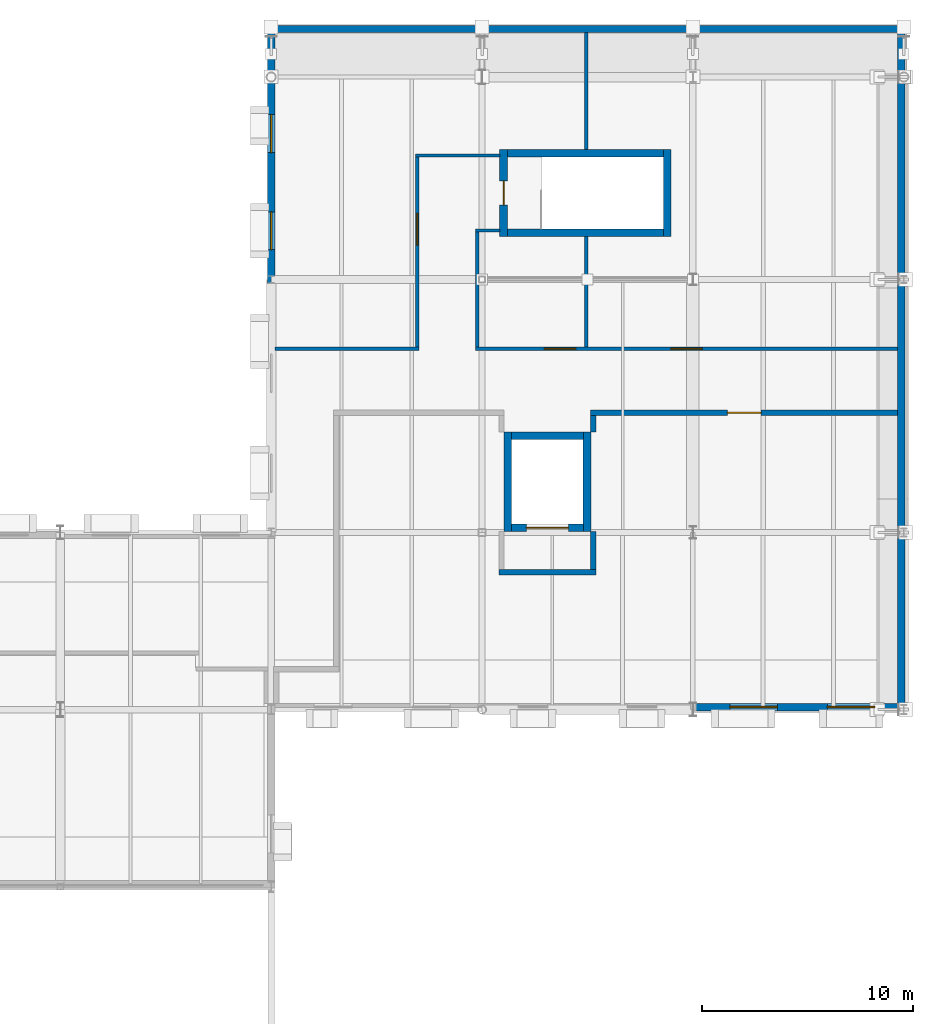
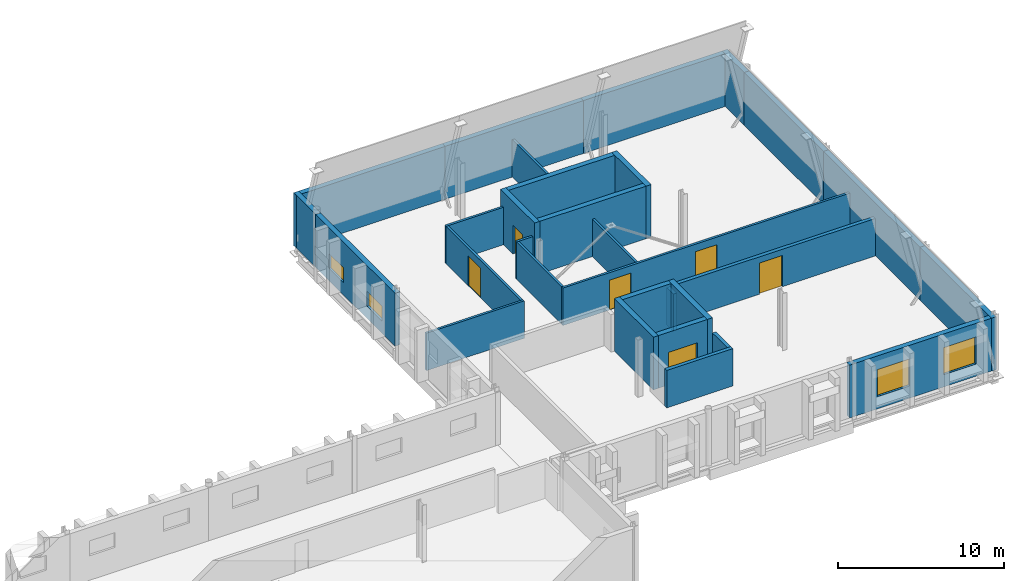
# One storey, part 69 of 90: 30 walls, 6 doors, 4 windows, 10 openings.
"""IFC4 building model written with IfcOpenShell, lengths in metres."""

from ifc_helpers import new_model, si_unit, direction, frame, frame_2d, origin, place, context, subcontext, project, spatial, rectangle, extrude, material, layer, layer_set, type_object, element, fill, save


model = new_model("IFC4")

# Units and contexts
model_context = context("Model", 3, precision=1e-05, world=origin(), true_north=direction((0.0, 1.0)))
body_context = subcontext(model_context, "Body", "Model", "MODEL_VIEW")
ifc_project = project(units=[si_unit("LENGTHUNIT", "METRE"), si_unit("AREAUNIT", "SQUARE_METRE"), si_unit("VOLUMEUNIT", "CUBIC_METRE"), si_unit("PLANEANGLEUNIT", "RADIAN"), si_unit("MASSUNIT", "GRAM", prefix="KILO")], contexts=[model_context])

# Site, building, storey
site_placement = place(None, origin())
site = spatial("IfcSite", under=ifc_project, at=site_placement, CompositionType="ELEMENT")
building_placement = place(site_placement, origin())
building = spatial("IfcBuilding", under=site, at=building_placement, Name="Zereglee Splitstone Museum", CompositionType="ELEMENT")
storey_placement = place(building_placement, frame((0.0, 0.0, 4.800048828125)))
storey = spatial("IfcBuildingStorey", under=building, at=storey_placement, Name="L01", CompositionType="ELEMENT", Elevation=4.800048828125)

# Wall, opening, door
ifc_material_1 = material(Name="Concrete C45/55", Category="concrete")
ifc_layer_1 = layer(ifc_material_1, 0.360107421875)
ifc_layer_set_1 = layer_set([ifc_layer_1], Name="Concrete C45/55")
wall_type_1 = type_object("IfcWallType", Name="CSW-02", PredefinedType="SHEAR", material=ifc_layer_set_1)
wall_1_placement = place(storey_placement, frame((307.02001953125, 52.43994140625, 0.0), z_axis=(0.0, 0.0, 1.0), x_axis=(0.0, 1.0, 0.0)))
wall_1 = element("IfcWall", 1, at=wall_1_placement, inside=storey, type_object=wall_type_1, Name="Stair Core Shear Wall ST-08 L01 West", PredefinedType="SHEAR", context=body_context, shape_type="SweptSolid", body=[
    extrude(rectangle(XDim=4.1201171875, YDim=0.360107421875, at=frame_2d((2.06005859375, 0.0))), origin(), (0.0, 0.0, 1.0), 3.8798828125),
])
opening_1_placement = place(wall_1_placement, frame((1.485107421875, 0.0, 0.0)))
opening_1 = element("IfcOpeningElement", 2, at=opening_1_placement, cuts=wall_1, Name="Opening ID-03", PredefinedType="OPENING", context=body_context, shape_type="SweptSolid", body=[
    extrude(rectangle(XDim=1.14990234375, YDim=2.14990234375, at=frame_2d((0.574951171875, 1.074951171875))), frame((0.0, 0.19482421875, 0.0), z_axis=(0.0, -1.0, 0.0), x_axis=(1.0, 0.0, 0.0)), (0.0, 0.0, 1.0), 0.389892578125),
])
ifc_material_2 = material(Name="Fire-rated steel and Siberian larch leaf", Category="steel")
door_type_1 = type_object("IfcDoorType", Name="ID-03", OperationType="NOTDEFINED", PredefinedType="DOOR", material=ifc_material_2)
door_1_placement = place(opening_1_placement, origin())
door_1 = element("IfcDoor", 3, at=door_1_placement, inside=storey, type_object=door_type_1, Name="Protected Stair Fire Door ST-08 L01", OperationType="SINGLE_SWING_LEFT", OverallHeight=2.14990234375, OverallWidth=1.14990234375, PredefinedType="DOOR", context=body_context, shape_type="SweptSolid", body=[
    extrude(rectangle(XDim=1.14990234375, YDim=2.14990234375, at=frame_2d((0.574951171875, 1.074951171875))), frame((0.0, 0.02490234375, 0.0), z_axis=(0.0, -1.0, 0.0), x_axis=(1.0, 0.0, 0.0)), (0.0, 0.0, 1.0), 0.050048828125),
])
fill(opening_1, door_1)

# Walls
wall_2_placement = place(storey_placement, frame((314.780029296875, 52.43994140625, 0.0), z_axis=(0.0, 0.0, 1.0), x_axis=(0.0, 1.0, 0.0)))
element("IfcWall", 4, at=wall_2_placement, inside=storey, type_object=wall_type_1, Name="Stair Core Shear Wall ST-08 L01 East", PredefinedType="SHEAR", context=body_context, shape_type="SweptSolid", body=[
    extrude(rectangle(XDim=4.1201171875, YDim=0.360107421875, at=frame_2d((2.06005859375, 0.0))), origin(), (0.0, 0.0, 1.0), 3.8798828125),
])
for number, where, z_axis, x_axis, name in (
    (5, (307.199951171875, 56.3798828125, 0.0), (0.0, 0.0, 1.0), (1.0, 0.0, 0.0), "Stair Core Shear Wall ST-08 L01 North"),
    (6, (307.199951171875, 52.6201171875, 0.0), (0.0, 0.0, 1.0), (1.0, 0.0, 0.0), "Stair Core Shear Wall ST-08 L01 South"),
):
    element("IfcWall", number, at=place(storey_placement, frame(where, z_axis=z_axis, x_axis=x_axis)), inside=storey, type_object=wall_type_1, Name=name, PredefinedType="SHEAR", context=body_context, shape_type="SweptSolid", body=[
        extrude(rectangle(XDim=7.400146484375, YDim=0.360107421875, at=frame_2d((3.7001953125, 0.0))), origin(), (0.0, 0.0, 1.0), 3.8798828125),
    ])
wall_3_placement = place(storey_placement, frame((307.39990234375, 42.97998046875, 0.0), z_axis=(0.0, 0.0, 1.0), x_axis=(1.0, 0.0, 0.0)))
element("IfcWall", 7, at=wall_3_placement, inside=storey, type_object=wall_type_1, Name="Lift Shaft Wall GL-01 L01 North", PredefinedType="SHEAR", context=body_context, shape_type="SweptSolid", body=[
    extrude(rectangle(XDim=3.400146484375, YDim=0.360107421875, at=frame_2d((1.7001953125, 0.0))), origin(), (0.0, 0.0, 1.0), 3.8798828125),
])

# Wall, opening, door
wall_4_placement = place(storey_placement, frame((307.39990234375, 38.6201171875, 0.0), z_axis=(0.0, 0.0, 1.0), x_axis=(1.0, 0.0, 0.0)))
wall_4 = element("IfcWall", 8, at=wall_4_placement, inside=storey, type_object=wall_type_1, Name="Lift Shaft Wall GL-01 L01 South", PredefinedType="SHEAR", context=body_context, shape_type="SweptSolid", body=[
    extrude(rectangle(XDim=3.400146484375, YDim=0.360107421875, at=frame_2d((1.7001953125, 0.0))), origin(), (0.0, 0.0, 1.0), 3.8798828125),
])
opening_2_placement = place(wall_4_placement, frame((0.699951171875, 0.0, 0.0)))
opening_2 = element("IfcOpeningElement", 9, at=opening_2_placement, cuts=wall_4, Name="Opening LD-03", PredefinedType="OPENING", context=body_context, shape_type="SweptSolid", body=[
    extrude(rectangle(XDim=2.0, YDim=2.39990234375, at=frame_2d((1.0, 1.199951171875))), frame((0.0, 0.19482421875, 0.0), z_axis=(0.0, -1.0, 0.0), x_axis=(1.0, 0.0, 0.0)), (0.0, 0.0, 1.0), 0.389892578125),
])
door_type_2 = type_object("IfcDoorType", Name="LD-03", OperationType="DOUBLE_DOOR_SLIDING", PredefinedType="DOOR", material=ifc_material_2)
door_2_placement = place(opening_2_placement, origin())
door_2 = element("IfcDoor", 10, at=door_2_placement, inside=storey, type_object=door_type_2, Name="Lift Landing Sliding Door GL-01 L01", OperationType="DOUBLE_DOOR_SLIDING", OverallHeight=2.39990234375, OverallWidth=2.0, PredefinedType="DOOR", context=body_context, shape_type="SweptSolid", body=[
    extrude(rectangle(XDim=2.0, YDim=2.39990234375, at=frame_2d((1.0, 1.199951171875))), frame((0.0, 0.02490234375, 0.0), z_axis=(0.0, -1.0, 0.0), x_axis=(1.0, 0.0, 0.0)), (0.0, 0.0, 1.0), 0.050048828125),
])
fill(opening_2, door_2)

# Walls
for number, where, z_axis, x_axis, name in (
    (11, (307.219970703125, 38.43994140625, 0.0), (0.0, 0.0, 1.0), (0.0, 1.0, 0.0), "Lift Shaft Wall GL-01 L01 West"),
    (12, (310.97998046875, 38.43994140625, 0.0), (0.0, 0.0, 1.0), (0.0, 1.0, 0.0), "Lift Shaft Wall GL-01 L01 East"),
):
    element("IfcWall", number, at=place(storey_placement, frame(where, z_axis=z_axis, x_axis=x_axis)), inside=storey, type_object=wall_type_1, Name=name, PredefinedType="SHEAR", context=body_context, shape_type="SweptSolid", body=[
        extrude(rectangle(XDim=4.719970703125, YDim=0.360107421875, at=frame_2d((2.35986328125, 0.0))), origin(), (0.0, 0.0, 1.0), 3.8798828125),
    ])

# Wall, openings, windows
ifc_material_3 = material(Name="Precast concrete C40/50", Category="concrete")
ifc_layer_2 = layer(ifc_material_3, 0.35009765625)
ifc_layer_set_2 = layer_set([ifc_layer_2], Name="Precast concrete C40/50")
wall_type_2 = type_object("IfcWallType", Name="EW-01", PredefinedType="STANDARD", material=ifc_layer_set_2)
wall_5_placement = place(storey_placement, frame((315.820068359375, 30.1201171875, 0.0), z_axis=(0.0, 0.0, 1.0), x_axis=(1.0, 0.0, 0.0)))
wall_5 = element("IfcWall", 13, at=wall_5_placement, inside=storey, type_object=wall_type_2, Name="Exterior Backup Wall RC4-EW-L01-0099", PredefinedType="STANDARD", context=body_context, shape_type="SweptSolid", body=[
    extrude(rectangle(XDim=10.239990234375, YDim=0.35009765625, at=frame_2d((5.1201171875, 0.0))), origin(), (0.0, 0.0, 1.0), 3.89990234375),
])
opening_3_placement = place(wall_5_placement, frame((1.93505859375, 0.0, 0.89990234375)))
opening_3 = element("IfcOpeningElement", 14, at=opening_3_placement, cuts=wall_5, Name="Opening EW-W20", PredefinedType="OPENING", context=body_context, shape_type="SweptSolid", body=[
    extrude(rectangle(XDim=2.25, YDim=2.0, at=frame_2d((1.125, 1.0))), frame((0.0, 0.18994140625, 0.0), z_axis=(0.0, -1.0, 0.0), x_axis=(1.0, 0.0, 0.0)), (0.0, 0.0, 1.0), 0.3798828125),
])
opening_4_placement = place(wall_5_placement, frame((6.554931640625, 0.0, 0.89990234375)))
opening_4 = element("IfcOpeningElement", 15, at=opening_4_placement, cuts=wall_5, Name="Opening EW-W20", PredefinedType="OPENING", context=body_context, shape_type="SweptSolid", body=[
    extrude(rectangle(XDim=2.25, YDim=2.0, at=frame_2d((1.125, 1.0))), frame((0.0, 0.18994140625, 0.0), z_axis=(0.0, -1.0, 0.0), x_axis=(1.0, 0.0, 0.0)), (0.0, 0.0, 1.0), 0.3798828125),
])
ifc_material_4 = material(Name="Thermally broken aluminium frame with triple low-e glazing", Category="aluminium")
window_type_1 = type_object("IfcWindowType", Name="EW-W20", PartitioningType="DOUBLE_PANEL_VERTICAL", PredefinedType="WINDOW", material=ifc_material_4)
window_1_placement = place(opening_3_placement, origin())
window_1 = element("IfcWindow", 16, at=window_1_placement, inside=storey, type_object=window_type_1, Name="Mughal Deep-Reveal Gallery Window L01-0057", OverallHeight=2.0, OverallWidth=2.25, PartitioningType="SINGLE_PANEL", PredefinedType="WINDOW", context=body_context, shape_type="SweptSolid", body=[
    extrude(rectangle(XDim=2.25, YDim=2.0, at=frame_2d((1.125, 1.0))), frame((0.0, 0.030029296875, 0.0), z_axis=(0.0, -1.0, 0.0), x_axis=(1.0, 0.0, 0.0)), (0.0, 0.0, 1.0), 0.06005859375),
])
fill(opening_3, window_1)
window_2_placement = place(opening_4_placement, origin())
window_2 = element("IfcWindow", 17, at=window_2_placement, inside=storey, type_object=window_type_1, Name="Mughal Deep-Reveal Gallery Window L01-0058", OverallHeight=2.0, OverallWidth=2.25, PartitioningType="SINGLE_PANEL", PredefinedType="WINDOW", context=body_context, shape_type="SweptSolid", body=[
    extrude(rectangle(XDim=2.25, YDim=2.0, at=frame_2d((1.125, 1.0))), frame((0.0, 0.030029296875, 0.0), z_axis=(0.0, -1.0, 0.0), x_axis=(1.0, 0.0, 0.0)), (0.0, 0.0, 1.0), 0.06005859375),
])
fill(opening_4, window_2)

# Walls
wall_6_placement = place(storey_placement, frame((325.8798828125, 29.93994140625, 0.0), z_axis=(0.0, 0.0, 1.0), x_axis=(0.0, 1.0, 0.0)))
element("IfcWall", 18, at=wall_6_placement, inside=storey, type_object=wall_type_2, Name="Exterior Backup Wall RC4-EW-L01-0100", PredefinedType="STANDARD", context=body_context, shape_type="SweptSolid", body=[
    extrude(rectangle(XDim=8.64013671875, YDim=0.35009765625, at=frame_2d((4.320068359375, 0.0))), origin(), (0.0, 0.0, 1.0), 3.89990234375),
])
wall_7_placement = place(storey_placement, frame((325.8798828125, 38.219970703125, 0.0), z_axis=(0.0, 0.0, 1.0), x_axis=(0.0, 1.0, 0.0)))
element("IfcWall", 19, at=wall_7_placement, inside=storey, type_object=wall_type_2, Name="Exterior Backup Wall RC4-EW-L01-0101", PredefinedType="STANDARD", context=body_context, shape_type="SweptSolid", body=[
    extrude(rectangle(XDim=12.360107421875, YDim=0.35009765625, at=frame_2d((6.18017578125, 0.0))), origin(), (0.0, 0.0, 1.0), 3.89990234375),
])
wall_8_placement = place(storey_placement, frame((325.8798828125, 50.219970703125, 0.0), z_axis=(0.0, 0.0, 1.0), x_axis=(0.0, 1.0, 0.0)))
element("IfcWall", 20, at=wall_8_placement, inside=storey, type_object=wall_type_2, Name="Exterior Backup Wall RC4-EW-L01-0102", PredefinedType="STANDARD", context=body_context, shape_type="SweptSolid", body=[
    extrude(rectangle(XDim=9.9599609375, YDim=0.35009765625, at=frame_2d((4.97998046875, 0.0))), origin(), (0.0, 0.0, 1.0), 3.89990234375),
])
wall_9_placement = place(storey_placement, frame((325.8798828125, 59.820068359375, 0.0), z_axis=(0.0, 0.0, 1.0), x_axis=(0.0, 1.0, 0.0)))
element("IfcWall", 21, at=wall_9_placement, inside=storey, type_object=wall_type_2, Name="Exterior Backup Wall RC4-EW-L01-0103", PredefinedType="STANDARD", context=body_context, shape_type="SweptSolid", body=[
    extrude(rectangle(XDim=2.639892578125, YDim=0.35009765625, at=frame_2d((1.31982421875, 0.0))), origin(), (0.0, 0.0, 1.0), 3.89990234375),
])
wall_10_placement = place(storey_placement, frame((326.06005859375, 62.280029296875, 0.0), z_axis=(0.0, 0.0, 1.0), x_axis=(-1.0, 0.0, 0.0)))
element("IfcWall", 22, at=wall_10_placement, inside=storey, type_object=wall_type_2, Name="Exterior Backup Wall RC4-EW-L01-0104", PredefinedType="STANDARD", context=body_context, shape_type="SweptSolid", body=[
    extrude(rectangle(XDim=10.239990234375, YDim=0.35009765625, at=frame_2d((5.1201171875, 0.0))), origin(), (0.0, 0.0, 1.0), 3.89990234375),
])
for number, where, z_axis, x_axis, name in (
    (23, (316.179931640625, 62.280029296875, 0.0), (0.0, 0.0, 1.0), (-1.0, 0.0, 0.0), "Exterior Backup Wall RC4-EW-L01-0105"),
    (24, (306.179931640625, 62.280029296875, 0.0), (0.0, 0.0, 1.0), (-1.0, 0.0, 0.0), "Exterior Backup Wall RC4-EW-L01-0106"),
):
    element("IfcWall", number, at=place(storey_placement, frame(where, z_axis=z_axis, x_axis=x_axis)), inside=storey, type_object=wall_type_2, Name=name, PredefinedType="STANDARD", context=body_context, shape_type="SweptSolid", body=[
        extrude(rectangle(XDim=10.35986328125, YDim=0.35009765625, at=frame_2d((5.179931640625, 0.0))), origin(), (0.0, 0.0, 1.0), 3.89990234375),
    ])
wall_11_placement = place(storey_placement, frame((296.0, 62.4599609375, 0.0), z_axis=(0.0, 0.0, 1.0), x_axis=(0.0, -1.0, 0.0)))
element("IfcWall", 25, at=wall_11_placement, inside=storey, type_object=wall_type_2, Name="Exterior Backup Wall RC4-EW-L01-0107", PredefinedType="STANDARD", context=body_context, shape_type="SweptSolid", body=[
    extrude(rectangle(XDim=2.639892578125, YDim=0.35009765625, at=frame_2d((1.31982421875, 0.0))), origin(), (0.0, 0.0, 1.0), 3.89990234375),
])

# Wall, openings, windows
wall_12_placement = place(storey_placement, frame((296.0, 60.179931640625, 0.0), z_axis=(0.0, 0.0, 1.0), x_axis=(0.0, -1.0, 0.0)))
wall_12 = element("IfcWall", 26, at=wall_12_placement, inside=storey, type_object=wall_type_2, Name="Exterior Backup Wall RC4-EW-L01-0108", PredefinedType="STANDARD", context=body_context, shape_type="SweptSolid", body=[
    extrude(rectangle(XDim=9.9599609375, YDim=0.35009765625, at=frame_2d((4.97998046875, 0.0))), origin(), (0.0, 0.0, 1.0), 3.89990234375),
])
opening_5_placement = place(wall_12_placement, frame((1.965087890625, 0.0, 0.89990234375)))
opening_5 = element("IfcOpeningElement", 27, at=opening_5_placement, cuts=wall_12, Name="Opening EW-W12", PredefinedType="OPENING", context=body_context, shape_type="SweptSolid", body=[
    extrude(rectangle(XDim=1.800048828125, YDim=1.10009765625, at=frame_2d((0.89990234375, 0.550048828125))), frame((0.0, 0.18994140625, 0.0), z_axis=(0.0, -1.0, 0.0), x_axis=(1.0, 0.0, 0.0)), (0.0, 0.0, 1.0), 0.3798828125),
])
opening_6_placement = place(wall_12_placement, frame((6.570068359375, 0.0, 0.89990234375)))
opening_6 = element("IfcOpeningElement", 28, at=opening_6_placement, cuts=wall_12, Name="Opening EW-W12", PredefinedType="OPENING", context=body_context, shape_type="SweptSolid", body=[
    extrude(rectangle(XDim=1.800048828125, YDim=1.10009765625, at=frame_2d((0.89990234375, 0.550048828125))), frame((0.0, 0.18994140625, 0.0), z_axis=(0.0, -1.0, 0.0), x_axis=(1.0, 0.0, 0.0)), (0.0, 0.0, 1.0), 0.3798828125),
])
window_type_2 = type_object("IfcWindowType", Name="EW-W12", PartitioningType="DOUBLE_PANEL_HORIZONTAL", PredefinedType="WINDOW", material=ifc_material_4)
window_3_placement = place(opening_5_placement, origin())
window_3 = element("IfcWindow", 29, at=window_3_placement, inside=storey, type_object=window_type_2, Name="Mughal Deep-Reveal Gallery Window L01-0059", OverallHeight=1.10009765625, OverallWidth=1.800048828125, PartitioningType="SINGLE_PANEL", PredefinedType="WINDOW", context=body_context, shape_type="SweptSolid", body=[
    extrude(rectangle(XDim=1.800048828125, YDim=1.10009765625, at=frame_2d((0.89990234375, 0.550048828125))), frame((0.0, 0.030029296875, 0.0), z_axis=(0.0, -1.0, 0.0), x_axis=(1.0, 0.0, 0.0)), (0.0, 0.0, 1.0), 0.06005859375),
])
fill(opening_5, window_3)
window_4_placement = place(opening_6_placement, origin())
window_4 = element("IfcWindow", 30, at=window_4_placement, inside=storey, type_object=window_type_2, Name="Mughal Deep-Reveal Gallery Window L01-0060", OverallHeight=1.10009765625, OverallWidth=1.800048828125, PartitioningType="SINGLE_PANEL", PredefinedType="WINDOW", context=body_context, shape_type="SweptSolid", body=[
    extrude(rectangle(XDim=1.800048828125, YDim=1.10009765625, at=frame_2d((0.89990234375, 0.550048828125))), frame((0.0, 0.030029296875, 0.0), z_axis=(0.0, -1.0, 0.0), x_axis=(1.0, 0.0, 0.0)), (0.0, 0.0, 1.0), 0.06005859375),
])
fill(opening_6, window_4)

# Wall
ifc_material_5 = material(Name="Concrete C40/50", Category="concrete")
ifc_layer_3 = layer(ifc_material_5, 0.25)
ifc_layer_set_3 = layer_set([ifc_layer_3], Name="Concrete C40/50")
wall_type_3 = type_object("IfcWallType", Name="IW-03", PredefinedType="PARTITIONING", material=ifc_layer_set_3)
wall_13_placement = place(storey_placement, frame((306.794921875, 36.52001953125, 0.0), z_axis=(0.0, 0.0, 1.0), x_axis=(1.0, 0.0, 0.0)))
element("IfcWall", 31, at=wall_13_placement, inside=storey, type_object=wall_type_3, Name="Interior Partition L01-0377 (Natural History Collection Archive)", PredefinedType="PARTITIONING", context=body_context, shape_type="SweptSolid", body=[
    extrude(rectangle(XDim=4.610107421875, YDim=0.25, at=frame_2d((2.30517578125, 0.0))), origin(), (0.0, 0.0, 1.0), 2.760009765625),
])

# Wall, opening, door
wall_14_placement = place(storey_placement, frame((311.155029296875, 44.080078125, 0.0), z_axis=(0.0, 0.0, 1.0), x_axis=(1.0, 0.0, 0.0)))
wall_14 = element("IfcWall", 32, at=wall_14_placement, inside=storey, type_object=wall_type_3, Name="Interior Partition L01-0384 (Natural History Collection Archive)", PredefinedType="PARTITIONING", context=body_context, shape_type="SweptSolid", body=[
    extrude(rectangle(XDim=14.550048828125, YDim=0.25, at=frame_2d((7.27490234375, 0.0))), origin(), (0.0, 0.0, 1.0), 2.760009765625),
])
opening_7_placement = place(wall_14_placement, frame((6.47509765625, 0.0, 0.0)))
opening_7 = element("IfcOpeningElement", 33, at=opening_7_placement, cuts=wall_14, Name="Opening ID-05", PredefinedType="OPENING", context=body_context, shape_type="SweptSolid", body=[
    extrude(rectangle(XDim=1.60009765625, YDim=2.300048828125, at=frame_2d((0.800048828125, 1.14990234375))), frame((0.0, 0.139892578125, 0.0), z_axis=(0.0, -1.0, 0.0), x_axis=(1.0, 0.0, 0.0)), (0.0, 0.0, 1.0), 0.27978515625),
])
door_type_3 = type_object("IfcDoorType", Name="ID-05", OperationType="NOTDEFINED", PredefinedType="DOOR", material=ifc_material_2)
door_3_placement = place(opening_7_placement, frame((1.60009765625, 0.0, 0.0), z_axis=(0.0, 0.0, 1.0), x_axis=(-1.0, 0.0, 0.0)))
door_3 = element("IfcDoor", 34, at=door_3_placement, inside=storey, type_object=door_type_3, Name="Interior Door L01-0075 (Natural History Collection Archive)", OperationType="DOUBLE_DOOR_SINGLE_SWING", OverallHeight=2.300048828125, OverallWidth=1.60009765625, PredefinedType="DOOR", context=body_context, shape_type="SweptSolid", body=[
    extrude(rectangle(XDim=1.60009765625, YDim=2.300048828125, at=frame_2d((0.800048828125, 1.14990234375))), frame((0.0, 0.02490234375, 0.0), z_axis=(0.0, -1.0, 0.0), x_axis=(1.0, 0.0, 0.0)), (0.0, 0.0, 1.0), 0.050048828125),
])
fill(opening_7, door_3)

# Walls
wall_15_placement = place(storey_placement, frame((311.280029296875, 36.64501953125, 0.0), z_axis=(0.0, 0.0, 1.0), x_axis=(0.0, 1.0, 0.0)))
element("IfcWall", 35, at=wall_15_placement, inside=storey, type_object=wall_type_3, Name="Interior Partition L01-0451 (Natural History Collection Archive)", PredefinedType="PARTITIONING", context=body_context, shape_type="SweptSolid", body=[
    extrude(rectangle(XDim=1.794921875, YDim=0.25, at=frame_2d((0.8974609375, 0.0))), origin(), (0.0, 0.0, 1.0), 2.760009765625),
])
wall_16_placement = place(storey_placement, frame((311.280029296875, 43.159912109375, 0.0), z_axis=(0.0, 0.0, 1.0), x_axis=(0.0, 1.0, 0.0)))
element("IfcWall", 36, at=wall_16_placement, inside=storey, type_object=wall_type_3, Name="Interior Partition L01-0452 (Natural History Collection Archive)", PredefinedType="PARTITIONING", context=body_context, shape_type="SweptSolid", body=[
    extrude(rectangle(XDim=0.795166015625, YDim=0.25, at=frame_2d((0.3974609375, 0.0))), origin(), (0.0, 0.0, 1.0), 2.760009765625),
])
ifc_material_6 = material(Name="Fire-rated gypsum board partition", Category="masonry")
ifc_layer_4 = layer(ifc_material_6, 0.159912109375)
ifc_layer_set_4 = layer_set([ifc_layer_4], Name="Fire-rated gypsum board partition")
wall_type_4 = type_object("IfcWallType", Name="IW-04", PredefinedType="PARTITIONING", material=ifc_layer_set_4)
wall_17_placement = place(storey_placement, frame((296.175048828125, 47.1201171875, 0.0), z_axis=(0.0, 0.0, 1.0), x_axis=(1.0, 0.0, 0.0)))
element("IfcWall", 37, at=wall_17_placement, inside=storey, type_object=wall_type_4, Name="Interior Partition L01-0388 (Textile Conservation Laboratory)", PredefinedType="PARTITIONING", context=body_context, shape_type="SweptSolid", body=[
    extrude(rectangle(XDim=6.824951171875, YDim=0.159912109375, at=frame_2d((3.41259765625, 0.0))), origin(), (0.0, 0.0, 1.0), 2.760009765625),
])

# Wall, openings, doors
wall_18_placement = place(storey_placement, frame((305.699951171875, 47.1201171875, 0.0), z_axis=(0.0, 0.0, 1.0), x_axis=(1.0, 0.0, 0.0)))
wall_18 = element("IfcWall", 38, at=wall_18_placement, inside=storey, type_object=wall_type_4, Name="Interior Partition L01-0389 (Textile Conservation Laboratory Suite)", PredefinedType="PARTITIONING", context=body_context, shape_type="SweptSolid", body=[
    extrude(rectangle(XDim=20.005126953125, YDim=0.159912109375, at=frame_2d((10.00244140625, 0.0))), origin(), (0.0, 0.0, 1.0), 2.760009765625),
])
opening_8_placement = place(wall_18_placement, frame((3.2509765625, 0.0, 0.0)))
opening_8 = element("IfcOpeningElement", 39, at=opening_8_placement, cuts=wall_18, Name="Opening ID-07", PredefinedType="OPENING", context=body_context, shape_type="SweptSolid", body=[
    extrude(rectangle(XDim=1.5, YDim=2.199951171875, at=frame_2d((0.75, 1.10009765625))), frame((0.0, 0.0947265625, 0.0), z_axis=(0.0, -1.0, 0.0), x_axis=(1.0, 0.0, 0.0)), (0.0, 0.0, 1.0), 0.189697265625),
])
opening_9_placement = place(wall_18_placement, frame((9.25244140625, 0.0, 0.0)))
opening_9 = element("IfcOpeningElement", 40, at=opening_9_placement, cuts=wall_18, Name="Opening ID-07", PredefinedType="OPENING", context=body_context, shape_type="SweptSolid", body=[
    extrude(rectangle(XDim=1.5, YDim=2.199951171875, at=frame_2d((0.75, 1.10009765625))), frame((0.0, 0.0947265625, 0.0), z_axis=(0.0, -1.0, 0.0), x_axis=(1.0, 0.0, 0.0)), (0.0, 0.0, 1.0), 0.189697265625),
])
door_type_4 = type_object("IfcDoorType", Name="ID-07", OperationType="NOTDEFINED", PredefinedType="DOOR", material=ifc_material_2)
door_4_placement = place(opening_8_placement, origin())
door_4 = element("IfcDoor", 41, at=door_4_placement, inside=storey, type_object=door_type_4, Name="Interior Door L01-0077 (Textile Conservation Laboratory Suite)", OperationType="DOUBLE_DOOR_SINGLE_SWING", OverallHeight=2.199951171875, OverallWidth=1.5, PredefinedType="DOOR", context=body_context, shape_type="SweptSolid", body=[
    extrude(rectangle(XDim=1.5, YDim=2.199951171875, at=frame_2d((0.75, 1.10009765625))), frame((0.0, 0.02490234375, 0.0), z_axis=(0.0, -1.0, 0.0), x_axis=(1.0, 0.0, 0.0)), (0.0, 0.0, 1.0), 0.050048828125),
])
fill(opening_8, door_4)
door_5_placement = place(opening_9_placement, origin())
door_5 = element("IfcDoor", 42, at=door_5_placement, inside=storey, type_object=door_type_4, Name="Interior Door L01-0078 (Ceramics Conservation Laboratory)", OperationType="DOUBLE_DOOR_SINGLE_SWING", OverallHeight=2.199951171875, OverallWidth=1.5, PredefinedType="DOOR", context=body_context, shape_type="SweptSolid", body=[
    extrude(rectangle(XDim=1.5, YDim=2.199951171875, at=frame_2d((0.75, 1.10009765625))), frame((0.0, 0.02490234375, 0.0), z_axis=(0.0, -1.0, 0.0), x_axis=(1.0, 0.0, 0.0)), (0.0, 0.0, 1.0), 0.050048828125),
])
fill(opening_9, door_5)

# Walls
wall_19_placement = place(storey_placement, frame((305.699951171875, 52.719970703125, 0.0), z_axis=(0.0, 0.0, 1.0), x_axis=(1.0, 0.0, 0.0)))
element("IfcWall", 43, at=wall_19_placement, inside=storey, type_object=wall_type_4, Name="Interior Partition L01-0390 (Textile Conservation Laboratory Suite)", PredefinedType="PARTITIONING", context=body_context, shape_type="SweptSolid", body=[
    extrude(rectangle(XDim=1.14013671875, YDim=0.159912109375, at=frame_2d((0.570068359375, 0.0))), origin(), (0.0, 0.0, 1.0), 2.760009765625),
])
wall_20_placement = place(storey_placement, frame((302.840087890625, 56.280029296875, 0.0), z_axis=(0.0, 0.0, 1.0), x_axis=(1.0, 0.0, 0.0)))
element("IfcWall", 44, at=wall_20_placement, inside=storey, type_object=wall_type_4, Name="Interior Partition L01-0391 (Textile Conservation Laboratory)", PredefinedType="PARTITIONING", context=body_context, shape_type="SweptSolid", body=[
    extrude(rectangle(XDim=4.0, YDim=0.159912109375, at=frame_2d((2.0, 0.0))), origin(), (0.0, 0.0, 1.0), 2.760009765625),
])

# Wall, opening, door
wall_21_placement = place(storey_placement, frame((302.919921875, 47.199951171875, 0.0), z_axis=(0.0, 0.0, 1.0), x_axis=(0.0, 1.0, 0.0)))
wall_21 = element("IfcWall", 45, at=wall_21_placement, inside=storey, type_object=wall_type_4, Name="Interior Partition L01-0445 (Textile Conservation Laboratory)", PredefinedType="PARTITIONING", context=body_context, shape_type="SweptSolid", body=[
    extrude(rectangle(XDim=9.0, YDim=0.159912109375, at=frame_2d((4.5, 0.0))), origin(), (0.0, 0.0, 1.0), 2.760009765625),
])
opening_10_placement = place(wall_21_placement, frame((4.830078125, 0.0, 0.0)))
opening_10 = element("IfcOpeningElement", 46, at=opening_10_placement, cuts=wall_21, Name="Opening ID-07", PredefinedType="OPENING", context=body_context, shape_type="SweptSolid", body=[
    extrude(rectangle(XDim=1.5, YDim=2.199951171875, at=frame_2d((0.75, 1.10009765625))), frame((0.0, 0.0947265625, 0.0), z_axis=(0.0, -1.0, 0.0), x_axis=(1.0, 0.0, 0.0)), (0.0, 0.0, 1.0), 0.189697265625),
])
door_6_placement = place(opening_10_placement, origin())
door_6 = element("IfcDoor", 47, at=door_6_placement, inside=storey, type_object=door_type_4, Name="Interior Door L01-0076 (Textile Conservation Laboratory)", OperationType="DOUBLE_DOOR_SINGLE_SWING", OverallHeight=2.199951171875, OverallWidth=1.5, PredefinedType="DOOR", context=body_context, shape_type="SweptSolid", body=[
    extrude(rectangle(XDim=1.5, YDim=2.199951171875, at=frame_2d((0.75, 1.10009765625))), frame((0.0, 0.02490234375, 0.0), z_axis=(0.0, -1.0, 0.0), x_axis=(1.0, 0.0, 0.0)), (0.0, 0.0, 1.0), 0.050048828125),
])
fill(opening_10, door_6)

# Walls
wall_22_placement = place(storey_placement, frame((305.780029296875, 47.199951171875, 0.0), z_axis=(0.0, 0.0, 1.0), x_axis=(0.0, 1.0, 0.0)))
element("IfcWall", 48, at=wall_22_placement, inside=storey, type_object=wall_type_4, Name="Interior Partition L01-0446 (Textile Conservation Laboratory Suite)", PredefinedType="PARTITIONING", context=body_context, shape_type="SweptSolid", body=[
    extrude(rectangle(XDim=5.43994140625, YDim=0.159912109375, at=frame_2d((2.719970703125, 0.0))), origin(), (0.0, 0.0, 1.0), 2.760009765625),
])
wall_23_placement = place(storey_placement, frame((310.93994140625, 47.199951171875, 0.0), z_axis=(0.0, 0.0, 1.0), x_axis=(0.0, 1.0, 0.0)))
element("IfcWall", 49, at=wall_23_placement, inside=storey, type_object=wall_type_4, Name="Interior Partition L01-0449 (Textile Conservation Laboratory Suite)", PredefinedType="PARTITIONING", context=body_context, shape_type="SweptSolid", body=[
    extrude(rectangle(XDim=5.239990234375, YDim=0.159912109375, at=frame_2d((2.6201171875, 0.0))), origin(), (0.0, 0.0, 1.0), 2.760009765625),
])
wall_24_placement = place(storey_placement, frame((310.93994140625, 56.56005859375, 0.0), z_axis=(0.0, 0.0, 1.0), x_axis=(0.0, 1.0, 0.0)))
element("IfcWall", 50, at=wall_24_placement, inside=storey, type_object=wall_type_4, Name="Interior Partition L01-0450 (Textile Conservation Laboratory)", PredefinedType="PARTITIONING", context=body_context, shape_type="SweptSolid", body=[
    extrude(rectangle(XDim=5.544921875, YDim=0.159912109375, at=frame_2d((2.7724609375, 0.0))), origin(), (0.0, 0.0, 1.0), 2.760009765625),
])

save(model, "model.ifc")
